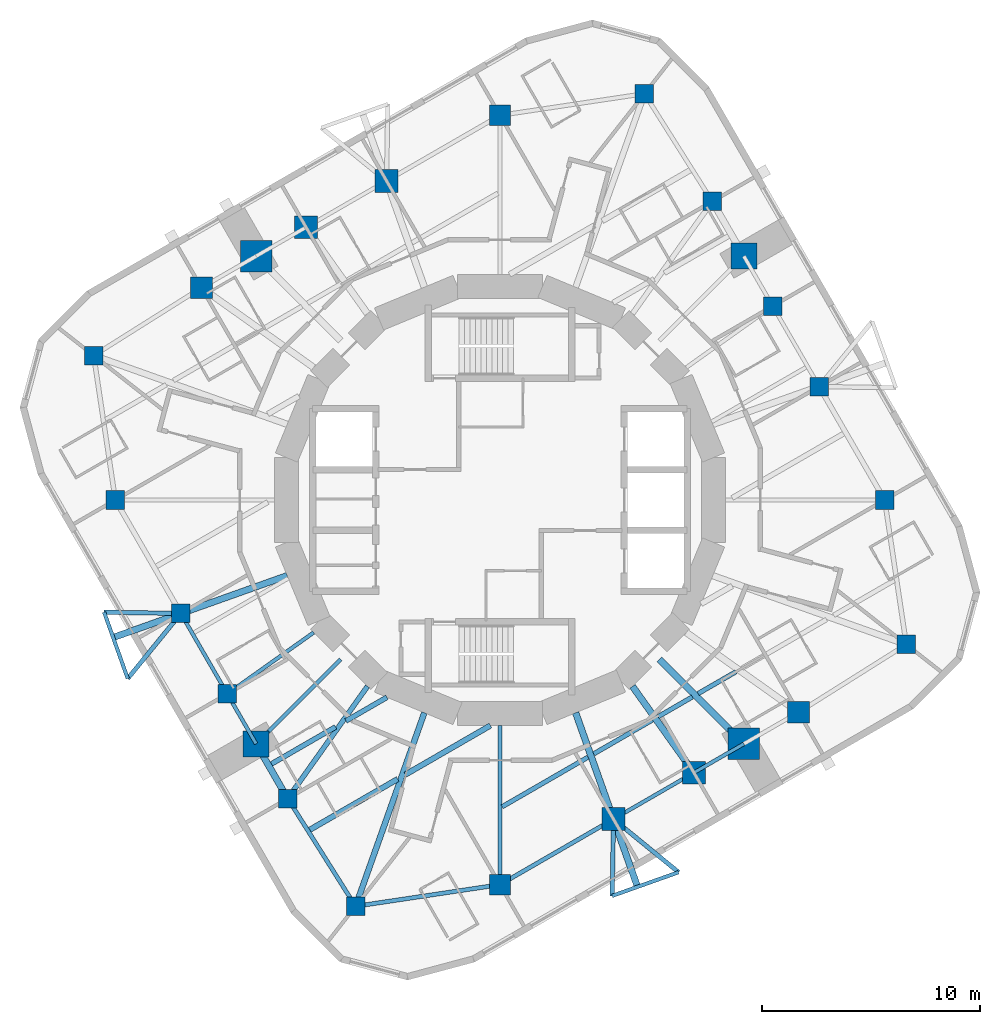
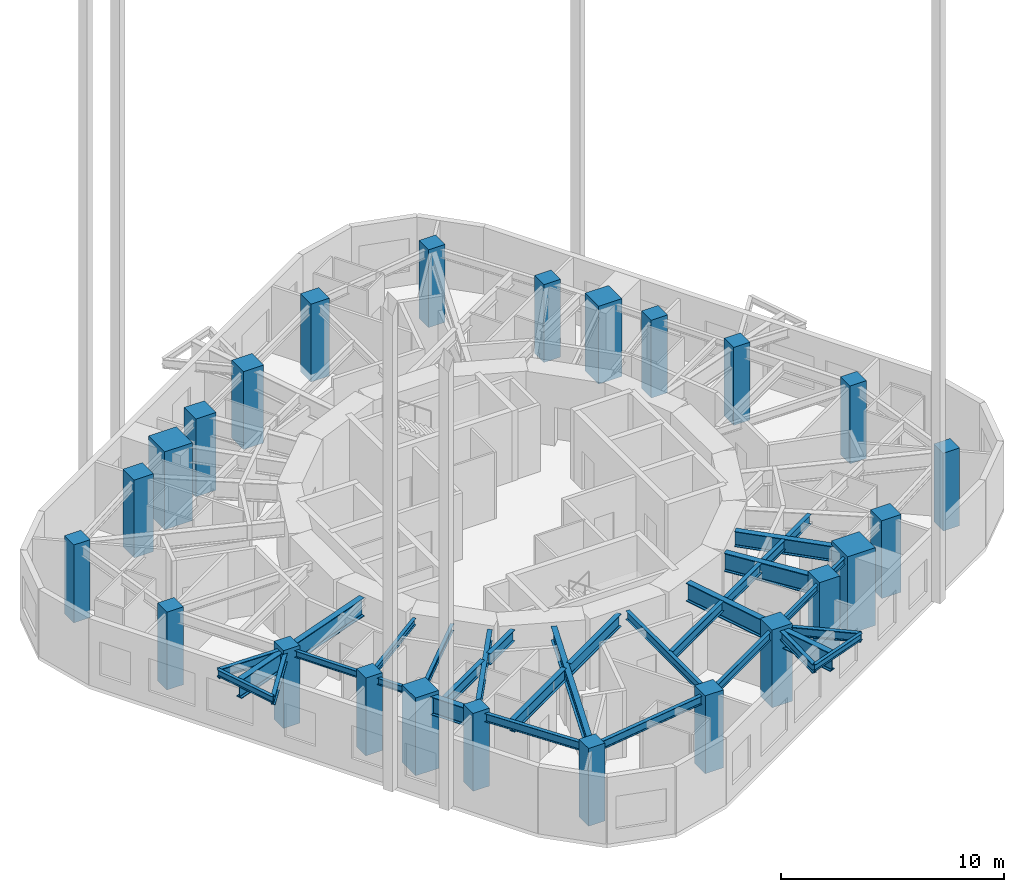
# One storey, part 1 of 10: 31 beams, 24 columns.
"""IFC4 building model written with IfcOpenShell, lengths in metres."""

from ifc_helpers import new_model, si_unit, direction, frame, origin, origin_2d, place, context, subcontext, project, spatial, rectangle, i_section, extrude, material, material_profile, profile_set, type_object, element, save


model = new_model("IFC4")

# Units and contexts
model_context = context("Model", 3, precision=1e-05, world=origin(), true_north=direction((0.0, 1.0)))
body_context = subcontext(model_context, "Body", "Model", "MODEL_VIEW")
ifc_project = project(units=[si_unit("LENGTHUNIT", "METRE"), si_unit("AREAUNIT", "SQUARE_METRE"), si_unit("VOLUMEUNIT", "CUBIC_METRE"), si_unit("PLANEANGLEUNIT", "RADIAN"), si_unit("MASSUNIT", "GRAM", prefix="KILO")], contexts=[model_context])

# Site, building, storey
site_placement = place(None, origin())
site = spatial("IfcSite", under=ifc_project, at=site_placement, CompositionType="ELEMENT")
building_placement = place(site_placement, origin())
building = spatial("IfcBuilding", under=site, at=building_placement, Name="Nakasero Lantern House", CompositionType="ELEMENT")
storey_placement = place(building_placement, frame((0.0, 0.0, 223.10009765625)))
storey = spatial("IfcBuildingStorey", under=building, at=storey_placement, Name="L54", CompositionType="ELEMENT", Elevation=223.10009765625)

# Columns
ifc_material_1 = material(Name="Concrete C45/55", Category="concrete")
ifc_material_profile_1 = material_profile(ifc_material_1, rectangle(XDim=1.199951171875, YDim=1.199951171875, at=origin_2d()), Name="RC 1200x1200")
ifc_profile_set_1 = profile_set([ifc_material_profile_1], Name="Concrete C45/55")
column_type_1 = type_object("IfcColumnType", Name="Mega column RC 1200x1200 C45/55", PredefinedType="COLUMN", material=ifc_profile_set_1)
for number, where, z_axis, x_axis, name in (
    (1, (11.200439453125, 11.200439453125, -0.40966796875), (0.0, 0.0, 1.0), (1.0, 0.0, 0.0), "Column B6-C06 L54"),
    (2, (-11.200439453125, -11.200439453125, -0.40966796875), (0.0, 0.0, 1.0), (1.0, 0.0, 0.0), "Column B6-C18 L54"),
):
    element("IfcColumn", number, at=place(storey_placement, frame(where, z_axis=z_axis, x_axis=x_axis)), inside=storey, type_object=column_type_1, Name=name, PredefinedType="COLUMN", context=body_context, shape_type="SweptSolid", body=[
        extrude(rectangle(XDim=1.199951171875, YDim=1.199951171875, at=origin_2d()), origin(), (0.0, 0.0, 1.0), 4.259521484375),
    ])
ifc_material_2 = material(Name="Concrete C45/55", Category="concrete")
ifc_material_profile_2 = material_profile(ifc_material_2, rectangle(XDim=1.449951171875, YDim=1.449951171875, at=origin_2d()), Name="RC 1450x1450")
ifc_profile_set_2 = profile_set([ifc_material_profile_2], Name="Concrete C45/55")
column_type_2 = type_object("IfcColumnType", Name="Mega column RC 1450x1450 C45/55", PredefinedType="COLUMN", material=ifc_profile_set_2)
for number, where, z_axis, x_axis, name in (
    (3, (-11.200439453125, 11.200439453125, -0.40966796875), (0.0, 0.0, 1.0), (1.0, 0.0, 0.0), "Column B6-C12 L54"),
    (4, (11.200439453125, -11.200439453125, -0.40966796875), (0.0, 0.0, 1.0), (1.0, 0.0, 0.0), "Column B6-C24 L54"),
):
    element("IfcColumn", number, at=place(storey_placement, frame(where, z_axis=z_axis, x_axis=x_axis)), inside=storey, type_object=column_type_2, Name=name, PredefinedType="COLUMN", context=body_context, shape_type="SweptSolid", body=[
        extrude(rectangle(XDim=1.449951171875, YDim=1.449951171875, at=origin_2d()), origin(), (0.0, 0.0, 1.0), 4.259521484375),
    ])
ifc_material_3 = material(Name="Concrete C45/55", Category="concrete")
ifc_material_profile_3 = material_profile(ifc_material_3, rectangle(XDim=1.0, YDim=1.0, at=origin_2d()), Name="RC 1000x1000")
ifc_profile_set_3 = profile_set([ifc_material_profile_3], Name="Concrete C45/55")
column_type_3 = type_object("IfcColumnType", Name="Ring column RC 1000x1000 C45/55", PredefinedType="COLUMN", material=ifc_profile_set_3)
for number, where, z_axis, x_axis, name in (
    (5, (13.711669921875, -9.75048828125, -0.40966796875), (0.0, 0.0, 1.0), (1.0, 0.0, 0.0), "Column B6-C01 L54"),
    (6, (-13.711669921875, 9.75048828125, -0.40966796875), (0.0, 0.0, 1.0), (1.0, 0.0, 0.0), "Column B6-C13 L54"),
):
    element("IfcColumn", number, at=place(storey_placement, frame(where, z_axis=z_axis, x_axis=x_axis)), inside=storey, type_object=column_type_3, Name=name, PredefinedType="COLUMN", context=body_context, shape_type="SweptSolid", body=[
        extrude(rectangle(XDim=1.0, YDim=1.0, at=origin_2d()), origin(), (0.0, 0.0, 1.0), 4.259521484375),
    ])
ifc_material_4 = material(Name="Concrete C45/55", Category="concrete")
ifc_material_profile_4 = material_profile(ifc_material_4, rectangle(XDim=1.050048828125, YDim=1.050048828125, at=origin_2d()), Name="RC 1050x1050")
ifc_profile_set_4 = profile_set([ifc_material_profile_4], Name="Concrete C45/55")
column_type_4 = type_object("IfcColumnType", Name="Ring column RC 1050x1050 C45/55", PredefinedType="COLUMN", material=ifc_profile_set_4)
for number, where, z_axis, x_axis, name in (
    (7, (-5.211669921875, 14.657958984375, -0.40966796875), (0.0, 0.0, 1.0), (1.0, 0.0, 0.0), "Column B6-C10 L54"),
    (8, (-8.906494140625, 12.524658203125, -0.40966796875), (0.0, 0.0, 1.0), (1.0, 0.0, 0.0), "Column B6-C11 L54"),
    (9, (5.211669921875, -14.657958984375, -0.40966796875), (0.0, 0.0, 1.0), (1.0, 0.0, 0.0), "Column B6-C22 L54"),
    (10, (8.906494140625, -12.524658203125, -0.40966796875), (0.0, 0.0, 1.0), (1.0, 0.0, 0.0), "Column B6-C23 L54"),
):
    element("IfcColumn", number, at=place(storey_placement, frame(where, z_axis=z_axis, x_axis=x_axis)), inside=storey, type_object=column_type_4, Name=name, PredefinedType="COLUMN", context=body_context, shape_type="SweptSolid", body=[
        extrude(rectangle(XDim=1.050048828125, YDim=1.050048828125, at=origin_2d()), origin(), (0.0, 0.0, 1.0), 4.259521484375),
    ])
ifc_material_5 = material(Name="Concrete C45/55", Category="concrete")
ifc_material_profile_5 = material_profile(ifc_material_5, rectangle(XDim=0.85009765625, YDim=0.85009765625, at=origin_2d()), Name="RC 850x850")
ifc_profile_set_5 = profile_set([ifc_material_profile_5], Name="Concrete C45/55")
column_type_5 = type_object("IfcColumnType", Name="Ring column RC 850x850 C45/55", PredefinedType="COLUMN", material=ifc_profile_set_5)
for number, where, z_axis, x_axis, name in (
    (11, (18.661376953125, -6.63525390625, -0.40966796875), (0.0, 0.0, 1.0), (1.0, 0.0, 0.0), "Column B6-C02 L54"),
    (12, (17.6669921875, 0.0, -0.40966796875), (0.0, 0.0, 1.0), (1.0, 0.0, 0.0), "Column B6-C03 L54"),
    (13, (14.657958984375, 5.211669921875, -0.40966796875), (0.0, 0.0, 1.0), (1.0, 0.0, 0.0), "Column B6-C04 L54"),
    (14, (12.524658203125, 8.906494140625, -0.40966796875), (0.0, 0.0, 1.0), (1.0, 0.0, 0.0), "Column B6-C05 L54"),
    (15, (9.75048828125, 13.711669921875, -0.40966796875), (0.0, 0.0, 1.0), (1.0, 0.0, 0.0), "Column B6-C07 L54"),
    (16, (6.63525390625, 18.661376953125, -0.40966796875), (0.0, 0.0, 1.0), (1.0, 0.0, 0.0), "Column B6-C08 L54"),
    (17, (-18.661376953125, 6.63525390625, -0.40966796875), (0.0, 0.0, 1.0), (1.0, 0.0, 0.0), "Column B6-C14 L54"),
    (18, (-17.6669921875, 0.0, -0.40966796875), (0.0, 0.0, 1.0), (1.0, 0.0, 0.0), "Column B6-C15 L54"),
    (19, (-14.657958984375, -5.211669921875, -0.40966796875), (0.0, 0.0, 1.0), (1.0, 0.0, 0.0), "Column B6-C16 L54"),
    (20, (-12.524658203125, -8.906494140625, -0.40966796875), (0.0, 0.0, 1.0), (1.0, 0.0, 0.0), "Column B6-C17 L54"),
    (21, (-9.75048828125, -13.711669921875, -0.40966796875), (0.0, 0.0, 1.0), (1.0, 0.0, 0.0), "Column B6-C19 L54"),
    (22, (-6.63525390625, -18.661376953125, -0.40966796875), (0.0, 0.0, 1.0), (1.0, 0.0, 0.0), "Column B6-C20 L54"),
):
    element("IfcColumn", number, at=place(storey_placement, frame(where, z_axis=z_axis, x_axis=x_axis)), inside=storey, type_object=column_type_5, Name=name, PredefinedType="COLUMN", context=body_context, shape_type="SweptSolid", body=[
        extrude(rectangle(XDim=0.85009765625, YDim=0.85009765625, at=origin_2d()), origin(), (0.0, 0.0, 1.0), 4.259521484375),
    ])
ifc_material_6 = material(Name="Concrete C45/55", Category="concrete")
ifc_material_profile_6 = material_profile(ifc_material_6, rectangle(XDim=0.949951171875, YDim=0.949951171875, at=origin_2d()), Name="RC 950x950")
ifc_profile_set_6 = profile_set([ifc_material_profile_6], Name="Concrete C45/55")
column_type_6 = type_object("IfcColumnType", Name="Ring column RC 950x950 C45/55", PredefinedType="COLUMN", material=ifc_profile_set_6)
for number, where, z_axis, x_axis, name in (
    (23, (0.0, 17.6669921875, -0.40966796875), (0.0, 0.0, 1.0), (1.0, 0.0, 0.0), "Column B6-C09 L54"),
    (24, (0.0, -17.6669921875, -0.40966796875), (0.0, 0.0, 1.0), (1.0, 0.0, 0.0), "Column B6-C21 L54"),
):
    element("IfcColumn", number, at=place(storey_placement, frame(where, z_axis=z_axis, x_axis=x_axis)), inside=storey, type_object=column_type_6, Name=name, PredefinedType="COLUMN", context=body_context, shape_type="SweptSolid", body=[
        extrude(rectangle(XDim=0.949951171875, YDim=0.949951171875, at=origin_2d()), origin(), (0.0, 0.0, 1.0), 4.259521484375),
    ])

# Beams
ifc_material_7 = material(Name="Steel S355", Category="steel")
ifc_material_profile_7 = material_profile(ifc_material_7, i_section(OverallWidth=0.199462890625, OverallDepth=0.491943359375, WebThickness=0.01806640625, FlangeThickness=0.031982421875, FilletRadius=0.01025390625, at=origin_2d()), Name="UB 457x191x161")
ifc_profile_set_7 = profile_set([ifc_material_profile_7], Name="Steel S355")
beam_type_1 = type_object("IfcBeamType", Name="Balcony splay beam UB 457x191x161", PredefinedType="BEAM", material=ifc_profile_set_7)
beam_1_placement = place(storey_placement, frame((-14.657958984375, -5.211669921875, 3.40380859375), z_axis=(-0.632127727159, -0.774864205236, 0.0), x_axis=(0.774864205236, -0.632127727159, 0.0)))
element("IfcBeam", 25, at=beam_1_placement, inside=storey, type_object=beam_type_1, Name="Balcony splay beam L55 B6-C16A", PredefinedType="BEAM", context=body_context, shape_type="SweptSolid", body=[
    extrude(i_section(OverallWidth=0.199462890625, OverallDepth=0.491943359375, WebThickness=0.01806640625, FlangeThickness=0.031982421875, FilletRadius=0.01025390625, at=origin_2d()), origin(), (0.0, 0.0, 1.0), 3.858642578125),
])
beam_2_placement = place(storey_placement, frame((-14.657958984375, -5.211669921875, 3.40380859375), z_axis=(-0.99985827803, 0.016835196893, 0.0), x_axis=(-0.016835196893, -0.99985827803, 0.0)))
element("IfcBeam", 26, at=beam_2_placement, inside=storey, type_object=beam_type_1, Name="Balcony splay beam L55 B6-C16B", PredefinedType="BEAM", context=body_context, shape_type="SweptSolid", body=[
    extrude(i_section(OverallWidth=0.199462890625, OverallDepth=0.491943359375, WebThickness=0.01806640625, FlangeThickness=0.031982421875, FilletRadius=0.01025390625, at=origin_2d()), origin(), (0.0, 0.0, 1.0), 3.52392578125),
])
beam_3_placement = place(storey_placement, frame((5.211669921875, -14.657958984375, 3.40380859375), z_axis=(0.774864205236, -0.632127727159, 0.0), x_axis=(0.632127727159, 0.774864205236, 0.0)))
element("IfcBeam", 27, at=beam_3_placement, inside=storey, type_object=beam_type_1, Name="Balcony splay beam L55 B6-C22A", PredefinedType="BEAM", context=body_context, shape_type="SweptSolid", body=[
    extrude(i_section(OverallWidth=0.199462890625, OverallDepth=0.491943359375, WebThickness=0.01806640625, FlangeThickness=0.031982421875, FilletRadius=0.01025390625, at=origin_2d()), origin(), (0.0, 0.0, 1.0), 3.858642578125),
])
beam_4_placement = place(storey_placement, frame((5.211669921875, -14.657958984375, 3.40380859375), z_axis=(-0.016835196893, -0.99985827803, 0.0), x_axis=(0.99985827803, -0.016835196893, 0.0)))
element("IfcBeam", 28, at=beam_4_placement, inside=storey, type_object=beam_type_1, Name="Balcony splay beam L55 B6-C22B", PredefinedType="BEAM", context=body_context, shape_type="SweptSolid", body=[
    extrude(i_section(OverallWidth=0.199462890625, OverallDepth=0.491943359375, WebThickness=0.01806640625, FlangeThickness=0.031982421875, FilletRadius=0.01025390625, at=origin_2d()), origin(), (0.0, 0.0, 1.0), 3.52392578125),
])
ifc_material_8 = material(Name="Steel S355", Category="steel")
ifc_material_profile_8 = material_profile(ifc_material_8, i_section(OverallWidth=0.17138671875, OverallDepth=0.35498046875, WebThickness=0.00732421875, FlangeThickness=0.011474609375, FilletRadius=0.01025390625, at=origin_2d()), Name="UB 356x171x51")
ifc_profile_set_8 = profile_set([ifc_material_profile_8], Name="Steel S355")
beam_type_2 = type_object("IfcBeamType", Name="Balcony tie beam UB 356x171x51", PredefinedType="BEAM", material=ifc_profile_set_8)
for number, where, z_axis, x_axis, name in (
    (29, (-17.09716796875, -8.20166015625, 3.472412109375), (-0.335017108852, 0.942212044487, 0.0), (-0.942212044487, -0.335017108852, 0.0), "Balcony tie beam L55 B6-C16"),
    (30, (8.20166015625, -17.09716796875, 3.472412109375), (-0.942212044487, -0.335017108852, 0.0), (0.335017108852, -0.942212044487, 0.0), "Balcony tie beam L55 B6-C22"),
):
    element("IfcBeam", number, at=place(storey_placement, frame(where, z_axis=z_axis, x_axis=x_axis)), inside=storey, type_object=beam_type_2, Name=name, PredefinedType="BEAM", context=body_context, shape_type="SweptSolid", body=[
        extrude(i_section(OverallWidth=0.17138671875, OverallDepth=0.35498046875, WebThickness=0.00732421875, FlangeThickness=0.011474609375, FilletRadius=0.01025390625, at=origin_2d()), origin(), (0.0, 0.0, 1.0), 3.236328125),
    ])
ifc_material_9 = material(Name="Steel S355", Category="steel")
ifc_material_profile_9 = material_profile(ifc_material_9, i_section(OverallWidth=0.2099609375, OverallDepth=0.53662109375, WebThickness=0.0107421875, FlangeThickness=0.017333984375, FilletRadius=0.0126953125, at=origin_2d()), Name="UB 533x210x101")
ifc_profile_set_9 = profile_set([ifc_material_profile_9], Name="Steel S355")
beam_type_3 = type_object("IfcBeamType", Name="Infill beam UB 533x210x101", PredefinedType="JOIST", material=ifc_profile_set_9)
beam_5_placement = place(storey_placement, frame((0.095703125, -14.08984375, 3.381591796875), z_axis=(0.866027576455, 0.499996236806, 0.0), x_axis=(-0.499996236806, 0.866027576455, 0.0)))
element("IfcBeam", 31, at=beam_5_placement, inside=storey, type_object=beam_type_3, Name="Infill beam L55 03.1", PredefinedType="JOIST", context=body_context, shape_type="SweptSolid", body=[
    extrude(i_section(OverallWidth=0.2099609375, OverallDepth=0.53662109375, WebThickness=0.0107421875, FlangeThickness=0.017333984375, FilletRadius=0.0126953125, at=origin_2d()), origin(), (0.0, 0.0, 1.0), 4.55419921875),
])
beam_6_placement = place(storey_placement, frame((4.3056640625, -11.6591796875, 3.381591796875), z_axis=(0.866027450242, 0.499996455414, 0.0), x_axis=(-0.499996455414, 0.866027450242, 0.0)))
element("IfcBeam", 32, at=beam_6_placement, inside=storey, type_object=beam_type_3, Name="Infill beam L55 03.2", PredefinedType="JOIST", context=body_context, shape_type="SweptSolid", body=[
    extrude(i_section(OverallWidth=0.2099609375, OverallDepth=0.53662109375, WebThickness=0.0107421875, FlangeThickness=0.017333984375, FilletRadius=0.0126953125, at=origin_2d()), origin(), (0.0, 0.0, 1.0), 3.11083984375),
])
beam_7_placement = place(storey_placement, frame((7.262451171875, -9.9521484375, 3.381591796875), z_axis=(0.865977542148, 0.500082889625, 0.0), x_axis=(-0.500082889625, 0.865977542148, 0.0)))
element("IfcBeam", 33, at=beam_7_placement, inside=storey, type_object=beam_type_3, Name="Infill beam L55 03.3", PredefinedType="JOIST", context=body_context, shape_type="SweptSolid", body=[
    extrude(i_section(OverallWidth=0.2099609375, OverallDepth=0.53662109375, WebThickness=0.0107421875, FlangeThickness=0.017333984375, FilletRadius=0.0126953125, at=origin_2d()), origin(), (0.0, 0.0, 1.0), 1.817626953125),
])
beam_8_placement = place(storey_placement, frame((9.0986328125, -8.891845703125, 3.381591796875), z_axis=(0.866076057046, 0.499912255713, 0.0), x_axis=(-0.499912255713, 0.866076057046, 0.0)))
element("IfcBeam", 34, at=beam_8_placement, inside=storey, type_object=beam_type_3, Name="Infill beam L55 03.4", PredefinedType="JOIST", context=body_context, shape_type="SweptSolid", body=[
    extrude(i_section(OverallWidth=0.2099609375, OverallDepth=0.53662109375, WebThickness=0.0107421875, FlangeThickness=0.017333984375, FilletRadius=0.0126953125, at=origin_2d()), origin(), (0.0, 0.0, 1.0), 2.004150390625),
])
ifc_material_10 = material(Name="Steel S355", Category="steel")
ifc_material_profile_10 = material_profile(ifc_material_10, i_section(OverallWidth=0.22900390625, OverallDepth=0.6123046875, WebThickness=0.011962890625, FlangeThickness=0.01953125, FilletRadius=0.0126953125, at=origin_2d()), Name="UB 610x229x125")
ifc_profile_set_10 = profile_set([ifc_material_profile_10], Name="Steel S355")
beam_type_4 = type_object("IfcBeamType", Name="Infill beam UB 610x229x125", PredefinedType="JOIST", material=ifc_profile_set_10)
beam_9_placement = place(storey_placement, frame((-10.495361328125, -12.12158203125, 3.34375), z_axis=(0.866042039906, 0.499971184285, 0.0), x_axis=(-0.499971184285, 0.866042039906, 0.0)))
element("IfcBeam", 35, at=beam_9_placement, inside=storey, type_object=beam_type_4, Name="Infill beam L55 05.1", PredefinedType="JOIST", context=body_context, shape_type="SweptSolid", body=[
    extrude(i_section(OverallWidth=0.22900390625, OverallDepth=0.6123046875, WebThickness=0.011962890625, FlangeThickness=0.01953125, FilletRadius=0.0126953125, at=origin_2d()), origin(), (0.0, 0.0, 1.0), 3.398681640625),
])
beam_10_placement = place(storey_placement, frame((-7.0751953125, -10.14697265625, 3.34375), z_axis=(0.866043427695, 0.499968780372, 0.0), x_axis=(-0.499968780372, 0.866043427695, 0.0)))
element("IfcBeam", 36, at=beam_10_placement, inside=storey, type_object=beam_type_4, Name="Infill beam L55 05.2", PredefinedType="JOIST", context=body_context, shape_type="SweptSolid", body=[
    extrude(i_section(OverallWidth=0.22900390625, OverallDepth=0.6123046875, WebThickness=0.011962890625, FlangeThickness=0.01953125, FilletRadius=0.0126953125, at=origin_2d()), origin(), (0.0, 0.0, 1.0), 2.173583984375),
])
ifc_material_11 = material(Name="Steel S355", Category="steel")
ifc_material_profile_11 = material_profile(ifc_material_11, i_section(OverallWidth=0.253662109375, OverallDepth=0.68359375, WebThickness=0.012451171875, FlangeThickness=0.01904296875, FilletRadius=0.01513671875, at=origin_2d()), Name="UB 686x254x140")
ifc_profile_set_11 = profile_set([ifc_material_profile_11], Name="Steel S355")
beam_type_5 = type_object("IfcBeamType", Name="Infill beam UB 686x254x140", PredefinedType="JOIST", material=ifc_profile_set_11)
beam_11_placement = place(storey_placement, frame((-8.735107421875, -15.146728515625, 3.30810546875), z_axis=(0.866023347809, 0.500003561037, 0.0), x_axis=(-0.500003561037, 0.866023347809, 0.0)))
element("IfcBeam", 37, at=beam_11_placement, inside=storey, type_object=beam_type_5, Name="Infill beam L55 04.1", PredefinedType="JOIST", context=body_context, shape_type="SweptSolid", body=[
    extrude(i_section(OverallWidth=0.253662109375, OverallDepth=0.68359375, WebThickness=0.012451171875, FlangeThickness=0.01904296875, FilletRadius=0.01513671875, at=origin_2d()), origin(), (0.0, 0.0, 1.0), 4.6611328125),
])
beam_12_placement = place(storey_placement, frame((-4.34228515625, -12.610595703125, 3.30810546875), z_axis=(0.866030378168, 0.499991384017, 0.0), x_axis=(-0.499991384017, 0.866030378168, 0.0)))
element("IfcBeam", 38, at=beam_12_placement, inside=storey, type_object=beam_type_5, Name="Infill beam L55 04.2", PredefinedType="JOIST", context=body_context, shape_type="SweptSolid", body=[
    extrude(i_section(OverallWidth=0.253662109375, OverallDepth=0.68359375, WebThickness=0.012451171875, FlangeThickness=0.01904296875, FilletRadius=0.01513671875, at=origin_2d()), origin(), (0.0, 0.0, 1.0), 4.50537109375),
])
ifc_material_12 = material(Name="Steel S355", Category="steel")
ifc_material_profile_12 = material_profile(ifc_material_12, i_section(OverallWidth=0.302001953125, OverallDepth=1.008056640625, WebThickness=0.02099609375, FlangeThickness=0.0400390625, FilletRadius=0.030029296875, at=origin_2d()), Name="UB 1016x305x349")
ifc_profile_set_12 = profile_set([ifc_material_profile_12], Name="Steel S355")
beam_type_6 = type_object("IfcBeamType", Name="Primary beam UB 1016x305x349, span to 6 m", PredefinedType="BEAM", material=ifc_profile_set_12)
for number, where, z_axis, x_axis, name in (
    (39, (-17.767333984375, -6.317138671875, 3.145751953125), (0.94222457875, 0.33498185503, 0.0), (-0.33498185503, 0.94222457875, 0.0), "Primary beam L55 B6-C16"),
    (40, (6.317138671875, -17.767333984375, 3.145751953125), (-0.33498185503, 0.94222457875, 0.0), (-0.94222457875, -0.33498185503, 0.0), "Primary beam L55 B6-C22"),
):
    element("IfcBeam", number, at=place(storey_placement, frame(where, z_axis=z_axis, x_axis=x_axis)), inside=storey, type_object=beam_type_6, Name=name, PredefinedType="BEAM", context=body_context, shape_type="SweptSolid", body=[
        extrude(i_section(OverallWidth=0.302001953125, OverallDepth=1.008056640625, WebThickness=0.02099609375, FlangeThickness=0.0400390625, FilletRadius=0.030029296875, at=origin_2d()), origin(), (0.0, 0.0, 1.0), 8.485595703125),
    ])
beam_13_placement = place(storey_placement, frame((8.906494140625, -12.524658203125, 3.145751953125), z_axis=(-0.579513415446, 0.814962699342, 0.0), x_axis=(-0.814962699342, -0.579513415446, 0.0)))
element("IfcBeam", 41, at=beam_13_placement, inside=storey, type_object=beam_type_6, Name="Primary beam L55 B6-C23", PredefinedType="BEAM", context=body_context, shape_type="SweptSolid", body=[
    extrude(i_section(OverallWidth=0.302001953125, OverallDepth=1.008056640625, WebThickness=0.02099609375, FlangeThickness=0.0400390625, FilletRadius=0.030029296875, at=origin_2d()), origin(), (0.0, 0.0, 1.0), 4.8642578125),
])
ifc_material_13 = material(Name="Steel S355", Category="steel")
ifc_material_profile_13 = material_profile(ifc_material_13, i_section(OverallWidth=0.17138671875, OverallDepth=0.35498046875, WebThickness=0.00732421875, FlangeThickness=0.011474609375, FilletRadius=0.01025390625, at=origin_2d()), Name="UB 356x171x51")
ifc_profile_set_13 = profile_set([ifc_material_profile_13], Name="Steel S355")
beam_type_7 = type_object("IfcBeamType", Name="Primary beam UB 356x171x51, span to 6 m", PredefinedType="BEAM", material=ifc_profile_set_13)
beam_14_placement = place(storey_placement, frame((-12.524658203125, -8.906494140625, 3.472412109375), z_axis=(0.814962699342, 0.579513415446, 0.0), x_axis=(-0.579513415446, 0.814962699342, 0.0)))
element("IfcBeam", 42, at=beam_14_placement, inside=storey, type_object=beam_type_7, Name="Primary beam L55 B6-C17", PredefinedType="BEAM", context=body_context, shape_type="SweptSolid", body=[
    extrude(i_section(OverallWidth=0.17138671875, OverallDepth=0.35498046875, WebThickness=0.00732421875, FlangeThickness=0.011474609375, FilletRadius=0.01025390625, at=origin_2d()), origin(), (0.0, 0.0, 1.0), 4.8642578125),
])
beam_15_placement = place(storey_placement, frame((-11.200439453125, -11.200439453125, 3.472412109375), z_axis=(0.707106781187, 0.707106781187, 0.0), x_axis=(-0.707106781187, 0.707106781187, 0.0)))
element("IfcBeam", 43, at=beam_15_placement, inside=storey, type_object=beam_type_7, Name="Primary beam L55 B6-C18", PredefinedType="BEAM", context=body_context, shape_type="SweptSolid", body=[
    extrude(i_section(OverallWidth=0.17138671875, OverallDepth=0.35498046875, WebThickness=0.00732421875, FlangeThickness=0.011474609375, FilletRadius=0.01025390625, at=origin_2d()), origin(), (0.0, 0.0, 1.0), 5.481689453125),
])
ifc_material_14 = material(Name="Steel S355", Category="steel")
ifc_material_profile_14 = material_profile(ifc_material_14, i_section(OverallWidth=0.19140625, OverallDepth=0.4599609375, WebThickness=0.010009765625, FlangeThickness=0.01611328125, FilletRadius=0.01025390625, at=origin_2d()), Name="UB 457x191x82")
ifc_profile_set_14 = profile_set([ifc_material_profile_14], Name="Steel S355")
beam_type_8 = type_object("IfcBeamType", Name="Primary beam UB 457x191x82, span 6 to 9 m", PredefinedType="BEAM", material=ifc_profile_set_14)
beam_16_placement = place(storey_placement, frame((0.0, -17.6669921875, 3.419921875), z_axis=(0.0, 1.0, 0.0), x_axis=(-1.0, 0.0, 0.0)))
element("IfcBeam", 44, at=beam_16_placement, inside=storey, type_object=beam_type_8, Name="Primary beam L55 B6-C21", PredefinedType="BEAM", context=body_context, shape_type="SweptSolid", body=[
    extrude(i_section(OverallWidth=0.19140625, OverallDepth=0.4599609375, WebThickness=0.010009765625, FlangeThickness=0.01611328125, FilletRadius=0.01025390625, at=origin_2d()), origin(), (0.0, 0.0, 1.0), 7.30908203125),
])
ifc_material_15 = material(Name="Steel S355", Category="steel")
ifc_material_profile_15 = material_profile(ifc_material_15, i_section(OverallWidth=0.22900390625, OverallDepth=0.6123046875, WebThickness=0.011962890625, FlangeThickness=0.01953125, FilletRadius=0.0126953125, at=origin_2d()), Name="UB 610x229x125")
ifc_profile_set_15 = profile_set([ifc_material_profile_15], Name="Steel S355")
beam_type_9 = type_object("IfcBeamType", Name="Primary beam UB 610x229x125, span 6 to 9 m", PredefinedType="BEAM", material=ifc_profile_set_15)
beam_17_placement = place(storey_placement, frame((-9.75048828125, -13.711669921875, 3.34375), z_axis=(0.579504973637, 0.814968702178, 0.0), x_axis=(-0.814968702178, 0.579504973637, 0.0)))
element("IfcBeam", 45, at=beam_17_placement, inside=storey, type_object=beam_type_9, Name="Primary beam L55 B6-C19", PredefinedType="BEAM", context=body_context, shape_type="SweptSolid", body=[
    extrude(i_section(OverallWidth=0.22900390625, OverallDepth=0.6123046875, WebThickness=0.011962890625, FlangeThickness=0.01953125, FilletRadius=0.0126953125, at=origin_2d()), origin(), (0.0, 0.0, 1.0), 6.320556640625),
])
ifc_material_16 = material(Name="Steel S355", Category="steel")
ifc_material_profile_16 = material_profile(ifc_material_16, i_section(OverallWidth=0.2666015625, OverallDepth=0.76220703125, WebThickness=0.014404296875, FlangeThickness=0.021484375, FilletRadius=0.0166015625, at=origin_2d()), Name="UB 762x267x173")
ifc_profile_set_16 = profile_set([ifc_material_profile_16], Name="Steel S355")
beam_type_10 = type_object("IfcBeamType", Name="Primary beam UB 762x267x173, span 9 to 12 m", PredefinedType="BEAM", material=ifc_profile_set_16)
beam_18_placement = place(storey_placement, frame((-6.63525390625, -18.661376953125, 3.268798828125), z_axis=(0.335006604588, 0.942215779364, 0.0), x_axis=(-0.942215779364, 0.335006604588, 0.0)))
element("IfcBeam", 46, at=beam_18_placement, inside=storey, type_object=beam_type_10, Name="Primary beam L55 B6-C20", PredefinedType="BEAM", context=body_context, shape_type="SweptSolid", body=[
    extrude(i_section(OverallWidth=0.2666015625, OverallDepth=0.76220703125, WebThickness=0.014404296875, FlangeThickness=0.021484375, FilletRadius=0.0166015625, at=origin_2d()), origin(), (0.0, 0.0, 1.0), 9.4345703125),
])
ifc_material_17 = material(Name="Steel S355", Category="steel")
ifc_material_profile_17 = material_profile(ifc_material_17, i_section(OverallWidth=0.29248046875, OverallDepth=0.8408203125, WebThickness=0.0146484375, FlangeThickness=0.02685546875, FilletRadius=0.017822265625, at=origin_2d()), Name="UB 838x292x194")
ifc_profile_set_17 = profile_set([ifc_material_profile_17], Name="Steel S355")
beam_type_11 = type_object("IfcBeamType", Name="Primary beam UB 838x292x194, span to 6 m", PredefinedType="BEAM", material=ifc_profile_set_17)
beam_19_placement = place(storey_placement, frame((11.200439453125, -11.200439453125, 3.2294921875), z_axis=(-0.707106781187, 0.707106781187, 0.0), x_axis=(-0.707106781187, -0.707106781187, 0.0)))
element("IfcBeam", 47, at=beam_19_placement, inside=storey, type_object=beam_type_11, Name="Primary beam L55 B6-C24", PredefinedType="BEAM", context=body_context, shape_type="SweptSolid", body=[
    extrude(i_section(OverallWidth=0.29248046875, OverallDepth=0.8408203125, WebThickness=0.0146484375, FlangeThickness=0.02685546875, FilletRadius=0.017822265625, at=origin_2d()), origin(), (0.0, 0.0, 1.0), 5.481689453125),
])
ifc_material_18 = material(Name="Steel S355", Category="steel")
ifc_material_profile_18 = material_profile(ifc_material_18, i_section(OverallWidth=0.300048828125, OverallDepth=0.97998046875, WebThickness=0.0166015625, FlangeThickness=0.02587890625, FilletRadius=0.030029296875, at=origin_2d()), Name="UB 1016x305x249")
ifc_profile_set_18 = profile_set([ifc_material_profile_18], Name="Steel S355")
beam_type_12 = type_object("IfcBeamType", Name="Ring beam UB 1016x305x249", PredefinedType="BEAM", material=ifc_profile_set_18)
beam_20_placement = place(storey_placement, frame((-11.200439453125, -11.200439453125, 3.159912109375), z_axis=(0.500023687443, -0.866011727401, 0.0), x_axis=(0.866011727401, 0.500023687443, 0.0)))
element("IfcBeam", 48, at=beam_20_placement, inside=storey, type_object=beam_type_12, Name="Ring beam L55 B6-C18", PredefinedType="BEAM", context=body_context, shape_type="SweptSolid", body=[
    extrude(i_section(OverallWidth=0.300048828125, OverallDepth=0.97998046875, WebThickness=0.0166015625, FlangeThickness=0.02587890625, FilletRadius=0.030029296875, at=origin_2d()), origin(), (0.0, 0.0, 1.0), 2.899658203125),
])
ifc_material_19 = material(Name="Steel S355", Category="steel")
ifc_material_profile_19 = material_profile(ifc_material_19, i_section(OverallWidth=0.17138671875, OverallDepth=0.35498046875, WebThickness=0.00732421875, FlangeThickness=0.011474609375, FilletRadius=0.01025390625, at=origin_2d()), Name="UB 356x171x51")
ifc_profile_set_19 = profile_set([ifc_material_profile_19], Name="Steel S355")
beam_type_13 = type_object("IfcBeamType", Name="Ring beam UB 356x171x51", PredefinedType="BEAM", material=ifc_profile_set_19)
beam_21_placement = place(storey_placement, frame((-14.657958984375, -5.211669921875, 3.472412109375), z_axis=(0.500016352561, -0.866015962423, 0.0), x_axis=(0.866015962423, 0.500016352561, 0.0)))
element("IfcBeam", 49, at=beam_21_placement, inside=storey, type_object=beam_type_13, Name="Ring beam L55 B6-C16", PredefinedType="BEAM", context=body_context, shape_type="SweptSolid", body=[
    extrude(i_section(OverallWidth=0.17138671875, OverallDepth=0.35498046875, WebThickness=0.00732421875, FlangeThickness=0.011474609375, FilletRadius=0.01025390625, at=origin_2d()), origin(), (0.0, 0.0, 1.0), 4.266357421875),
])
beam_22_placement = place(storey_placement, frame((-12.524658203125, -8.906494140625, 3.472412109375), z_axis=(0.499945861543, -0.866056658381, 0.0), x_axis=(0.866056658381, 0.499945861543, 0.0)))
element("IfcBeam", 50, at=beam_22_placement, inside=storey, type_object=beam_type_13, Name="Ring beam L55 B6-C17", PredefinedType="BEAM", context=body_context, shape_type="SweptSolid", body=[
    extrude(i_section(OverallWidth=0.17138671875, OverallDepth=0.35498046875, WebThickness=0.00732421875, FlangeThickness=0.011474609375, FilletRadius=0.01025390625, at=origin_2d()), origin(), (0.0, 0.0, 1.0), 2.648681640625),
])
beam_23_placement = place(storey_placement, frame((5.211669921875, -14.657958984375, 3.472412109375), z_axis=(0.866015962423, 0.500016352561, 0.0), x_axis=(-0.500016352561, 0.866015962423, 0.0)))
element("IfcBeam", 51, at=beam_23_placement, inside=storey, type_object=beam_type_13, Name="Ring beam L55 B6-C22", PredefinedType="BEAM", context=body_context, shape_type="SweptSolid", body=[
    extrude(i_section(OverallWidth=0.17138671875, OverallDepth=0.35498046875, WebThickness=0.00732421875, FlangeThickness=0.011474609375, FilletRadius=0.01025390625, at=origin_2d()), origin(), (0.0, 0.0, 1.0), 4.266357421875),
])
beam_24_placement = place(storey_placement, frame((8.906494140625, -12.524658203125, 3.472412109375), z_axis=(0.866056658381, 0.499945861543, 0.0), x_axis=(-0.499945861543, 0.866056658381, 0.0)))
element("IfcBeam", 52, at=beam_24_placement, inside=storey, type_object=beam_type_13, Name="Ring beam L55 B6-C23", PredefinedType="BEAM", context=body_context, shape_type="SweptSolid", body=[
    extrude(i_section(OverallWidth=0.17138671875, OverallDepth=0.35498046875, WebThickness=0.00732421875, FlangeThickness=0.011474609375, FilletRadius=0.01025390625, at=origin_2d()), origin(), (0.0, 0.0, 1.0), 2.648681640625),
])
ifc_material_20 = material(Name="Steel S355", Category="steel")
ifc_material_profile_20 = material_profile(ifc_material_20, i_section(OverallWidth=0.18994140625, OverallDepth=0.453369140625, WebThickness=0.008544921875, FlangeThickness=0.0126953125, FilletRadius=0.01025390625, at=origin_2d()), Name="UB 457x191x67")
ifc_profile_set_20 = profile_set([ifc_material_profile_20], Name="Steel S355")
beam_type_14 = type_object("IfcBeamType", Name="Ring beam UB 457x191x67", PredefinedType="BEAM", material=ifc_profile_set_20)
beam_25_placement = place(storey_placement, frame((-9.75048828125, -13.711669921875, 3.423095703125), z_axis=(0.532660471024, -0.846329027393, 0.0), x_axis=(0.846329027393, 0.532660471024, 0.0)))
element("IfcBeam", 53, at=beam_25_placement, inside=storey, type_object=beam_type_14, Name="Ring beam L55 B6-C19", PredefinedType="BEAM", context=body_context, shape_type="SweptSolid", body=[
    extrude(i_section(OverallWidth=0.18994140625, OverallDepth=0.453369140625, WebThickness=0.008544921875, FlangeThickness=0.0126953125, FilletRadius=0.01025390625, at=origin_2d()), origin(), (0.0, 0.0, 1.0), 5.848388671875),
])
beam_26_placement = place(storey_placement, frame((0.0, -17.6669921875, 3.423095703125), z_axis=(0.866020066889, 0.50000924366, 0.0), x_axis=(-0.50000924366, 0.866020066889, 0.0)))
element("IfcBeam", 54, at=beam_26_placement, inside=storey, type_object=beam_type_14, Name="Ring beam L55 B6-C21", PredefinedType="BEAM", context=body_context, shape_type="SweptSolid", body=[
    extrude(i_section(OverallWidth=0.18994140625, OverallDepth=0.453369140625, WebThickness=0.008544921875, FlangeThickness=0.0126953125, FilletRadius=0.01025390625, at=origin_2d()), origin(), (0.0, 0.0, 1.0), 6.01806640625),
])
ifc_material_21 = material(Name="Steel S355", Category="steel")
ifc_material_profile_21 = material_profile(ifc_material_21, i_section(OverallWidth=0.19140625, OverallDepth=0.4599609375, WebThickness=0.010009765625, FlangeThickness=0.01611328125, FilletRadius=0.01025390625, at=origin_2d()), Name="UB 457x191x82")
ifc_profile_set_21 = profile_set([ifc_material_profile_21], Name="Steel S355")
beam_type_15 = type_object("IfcBeamType", Name="Ring beam UB 457x191x82", PredefinedType="BEAM", material=ifc_profile_set_21)
beam_27_placement = place(storey_placement, frame((-6.63525390625, -18.661376953125, 3.419921875), z_axis=(0.988956095107, 0.148208778253, 0.0), x_axis=(-0.148208778253, 0.988956095107, 0.0)))
element("IfcBeam", 55, at=beam_27_placement, inside=storey, type_object=beam_type_15, Name="Ring beam L55 B6-C20", PredefinedType="BEAM", context=body_context, shape_type="SweptSolid", body=[
    extrude(i_section(OverallWidth=0.19140625, OverallDepth=0.4599609375, WebThickness=0.010009765625, FlangeThickness=0.01611328125, FilletRadius=0.01025390625, at=origin_2d()), origin(), (0.0, 0.0, 1.0), 6.70947265625),
])

save(model, "model.ifc")
